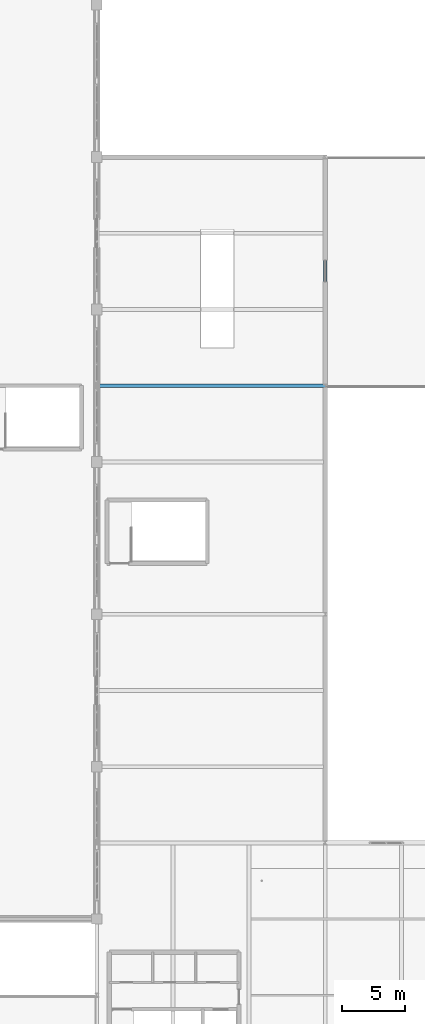
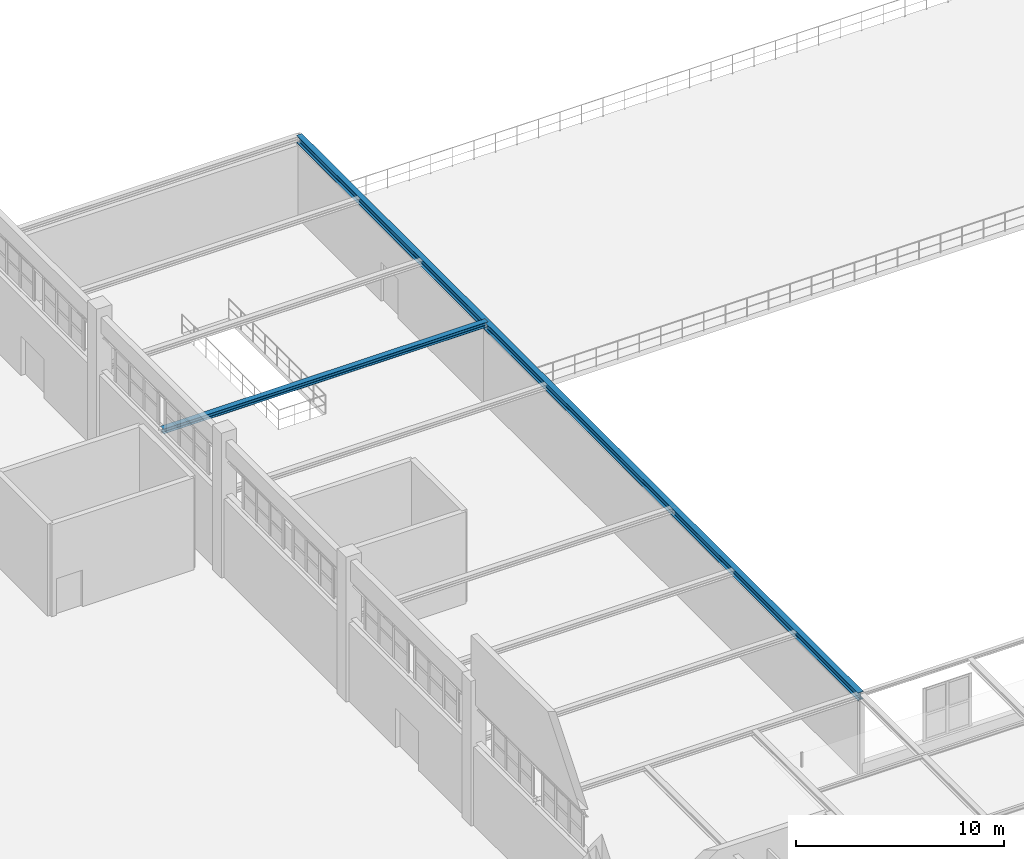
# One storey, part 54 of 97: 2 beams.
"""IFC4 building model written with IfcOpenShell, lengths in metres."""

from ifc_helpers import new_model, si_unit, derived_unit, direction, frame, origin, origin_2d, place, context, subcontext, project, spatial, i_section, extrude, material, material_profile, profile_set, type_object, element, save


model = new_model("IFC4")

# Units and contexts
model_context = context("Model", 3, precision=1e-05, world=origin(), true_north=direction((0.0, 1.0)))
body_context = subcontext(model_context, "Body", "Model", "MODEL_VIEW")
ifc_project = project(units=[si_unit("LENGTHUNIT", "METRE"), si_unit("AREAUNIT", "SQUARE_METRE"), si_unit("VOLUMEUNIT", "CUBIC_METRE"), si_unit("PLANEANGLEUNIT", "RADIAN"), si_unit("MASSUNIT", "GRAM", prefix="KILO"), derived_unit("THERMALTRANSMITTANCEUNIT", [(si_unit("POWERUNIT", "WATT"), 1), (si_unit("LENGTHUNIT", "METRE"), -2), (si_unit("THERMODYNAMICTEMPERATUREUNIT", "KELVIN"), -1)])], contexts=[model_context])

# Site, building, storey
site_placement = place(None, origin())
site = spatial("IfcSite", under=ifc_project, at=site_placement, CompositionType="ELEMENT")
building_placement = place(site_placement, origin())
building = spatial("IfcBuilding", under=site, at=building_placement, Name="Almenara Railside Exhibition Hall", CompositionType="ELEMENT")
storey_placement = place(building_placement, frame((0.0, 0.0, 10.800048828125)))
storey = spatial("IfcBuildingStorey", under=building, at=storey_placement, Name="L02", CompositionType="ELEMENT", Elevation=10.800048828125)

# Beams
ifc_material = material(Name="Structural steel S355JR", Category="steel")
ifc_material_profile_1 = material_profile(ifc_material, i_section(OverallWidth=0.300048828125, OverallDepth=0.43994140625, WebThickness=0.011474609375, FlangeThickness=0.02099609375, FilletRadius=0.027099609375, at=origin_2d()), Name="HEA 450")
ifc_profile_set_1 = profile_set([ifc_material_profile_1], Name="Structural steel S355JR")
beam_type_1 = type_object("IfcBeamType", Name="Steel Concourse Spine Girder HEA 450 S355JR", PredefinedType="USERDEFINED", material=ifc_profile_set_1)
beam_1_placement = place(storey_placement, frame((84.0, 54.0, 4.575927734375), z_axis=(0.0, 1.0, 0.0), x_axis=(-1.0, 0.0, 0.0)))
element("IfcBeam", 1, at=beam_1_placement, inside=storey, type_object=beam_type_1, Name="Beam 0735", ObjectType="GIRDER", PredefinedType="USERDEFINED", context=body_context, shape_type="SweptSolid", body=[
    extrude(i_section(OverallWidth=0.300048828125, OverallDepth=0.43994140625, WebThickness=0.011474609375, FlangeThickness=0.02099609375, FilletRadius=0.027099609375, at=origin_2d()), origin(), (0.0, 0.0, 1.0), 54.0),
])
ifc_material_profile_2 = material_profile(ifc_material, i_section(OverallWidth=0.300048828125, OverallDepth=0.2900390625, WebThickness=0.008544921875, FlangeThickness=0.013916015625, FilletRadius=0.027099609375, at=origin_2d()), Name="HEA 300")
ifc_profile_set_2 = profile_set([ifc_material_profile_2], Name="Structural steel S355JR")
beam_type_2 = type_object("IfcBeamType", Name="Steel Concourse Tie Beam HEA 300 S355JR", PredefinedType="BEAM", material=ifc_profile_set_2)
beam_2_placement = place(storey_placement, frame((66.0, 90.0, 4.65087890625), z_axis=(1.0, 0.0, 0.0), x_axis=(0.0, 1.0, 0.0)))
element("IfcBeam", 2, at=beam_2_placement, inside=storey, type_object=beam_type_2, Name="Beam 0839", PredefinedType="BEAM", context=body_context, shape_type="SweptSolid", body=[
    extrude(i_section(OverallWidth=0.300048828125, OverallDepth=0.2900390625, WebThickness=0.008544921875, FlangeThickness=0.013916015625, FilletRadius=0.027099609375, at=origin_2d()), origin(), (0.0, 0.0, 1.0), 18.0),
])

save(model, "model.ifc")
